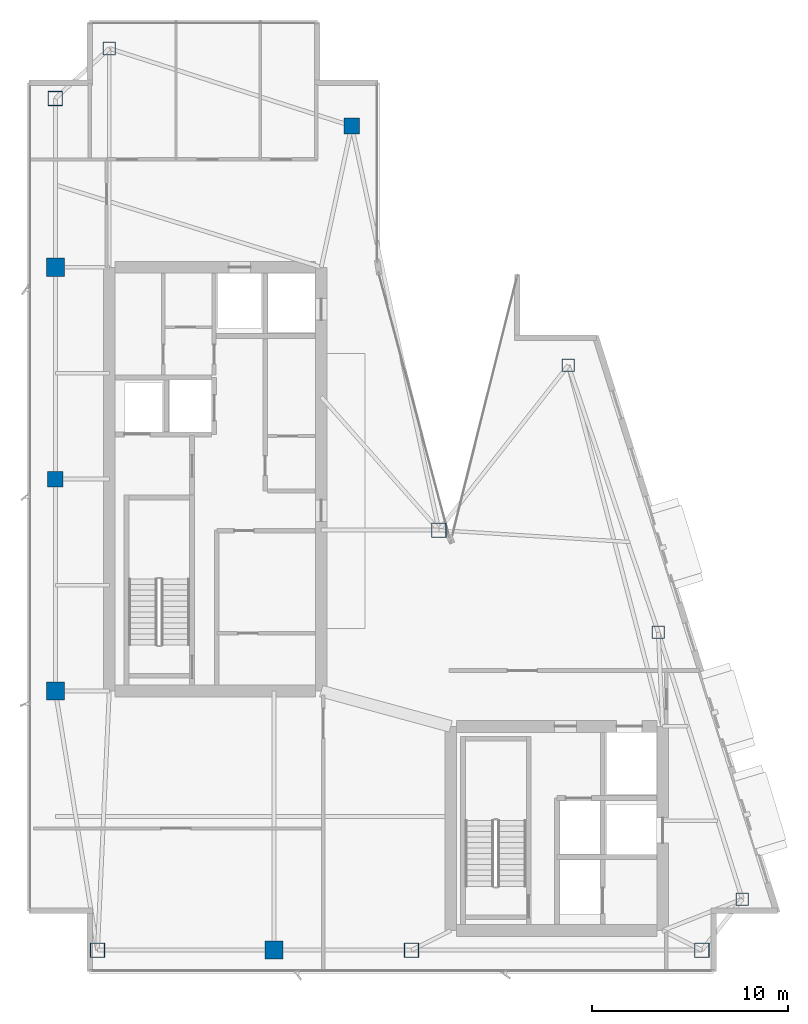
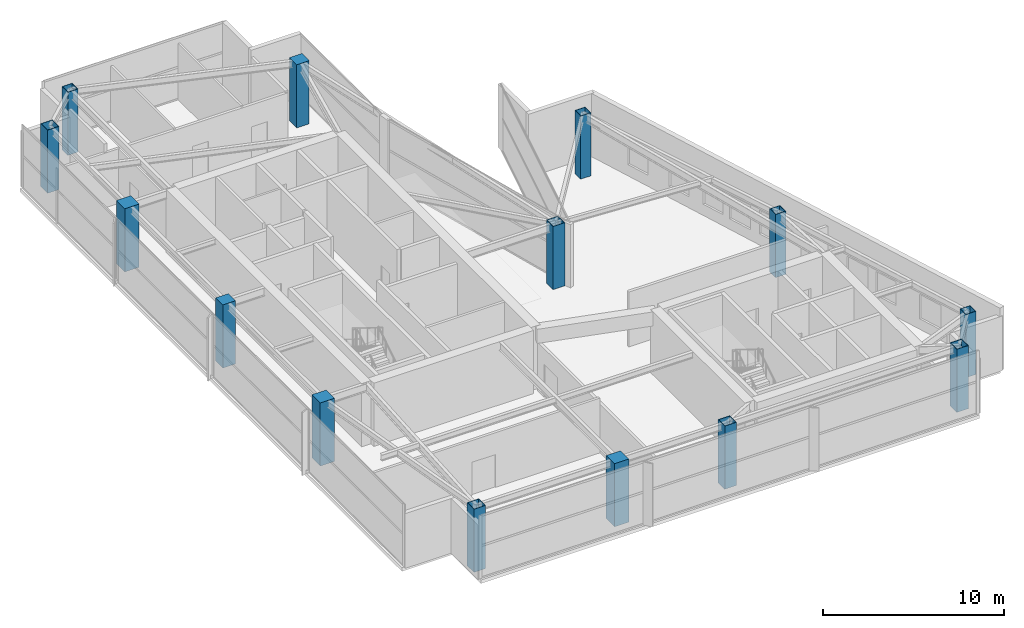
# One storey, part 1 of 25: 14 columns.
"""IFC4 building model written with IfcOpenShell, lengths in metres."""

from ifc_helpers import new_model, si_unit, direction, frame, origin, origin_2d, place, context, subcontext, project, spatial, rectangle, hollow_rectangle, extrude, material, material_profile, profile_set, type_object, element, save


model = new_model("IFC4")

# Units and contexts
model_context = context("Model", 3, precision=1e-05, world=origin(), true_north=direction((0.0, 1.0)))
body_context = subcontext(model_context, "Body", "Model", "MODEL_VIEW")
ifc_project = project(units=[si_unit("LENGTHUNIT", "METRE"), si_unit("AREAUNIT", "SQUARE_METRE"), si_unit("VOLUMEUNIT", "CUBIC_METRE"), si_unit("PLANEANGLEUNIT", "RADIAN"), si_unit("MASSUNIT", "GRAM", prefix="KILO")], contexts=[model_context])

# Site, building, storey
site_placement = place(None, origin())
site = spatial("IfcSite", under=ifc_project, at=site_placement, CompositionType="ELEMENT")
building_placement = place(site_placement, origin())
building = spatial("IfcBuilding", under=site, at=building_placement, Name="Calvorn Quay Hotel", CompositionType="ELEMENT")
storey_placement = place(building_placement, frame((0.0, 0.0, 311.5)))
storey = spatial("IfcBuildingStorey", under=building, at=storey_placement, Name="L77", CompositionType="ELEMENT", Elevation=311.5)

# Columns
ifc_material_1 = material(Name="Concrete C45", Category="concrete")
ifc_material_profile_1 = material_profile(ifc_material_1, rectangle(XDim=0.800048828125, YDim=0.800048828125, at=origin_2d()), Name="RC800x800")
ifc_profile_set_1 = profile_set([ifc_material_profile_1], Name="Concrete C45")
column_type_1 = type_object("IfcColumnType", Name="COL-RC-800", PredefinedType="COLUMN", material=ifc_profile_set_1)
for number, where, z_axis, x_axis, name in (
    (1, (1.449951171875, 27.60009765625, 0.0), (0.0, 0.0, 1.0), (1.0, 0.0, 0.0), "Column C-W3 (L77)"),
    (2, (16.550048828125, 45.60009765625, 0.0), (0.0, 0.0, 1.0), (1.0, 0.0, 0.0), "Column C-IC1 (L77)"),
):
    element("IfcColumn", number, at=place(storey_placement, frame(where, z_axis=z_axis, x_axis=x_axis)), inside=storey, type_object=column_type_1, Name=name, PredefinedType="COLUMN", context=body_context, shape_type="SweptSolid", body=[
        extrude(rectangle(XDim=0.800048828125, YDim=0.800048828125, at=origin_2d()), origin(), (0.0, 0.0, 1.0), 4.260009765625),
    ])
ifc_material_2 = material(Name="Concrete C45", Category="concrete")
ifc_material_profile_2 = material_profile(ifc_material_2, rectangle(XDim=0.919921875, YDim=0.919921875, at=origin_2d()), Name="RC920x920")
ifc_profile_set_2 = profile_set([ifc_material_profile_2], Name="Concrete C45")
column_type_2 = type_object("IfcColumnType", Name="COL-RC-920", PredefinedType="COLUMN", material=ifc_profile_set_2)
for number, where, z_axis, x_axis, name in (
    (3, (1.449951171875, 16.800048828125, 0.0), (0.0, 0.0, 1.0), (1.0, 0.0, 0.0), "Column C-W2 (L77)"),
    (4, (1.449951171875, 38.39990234375, 0.0), (0.0, 0.0, 1.0), (1.0, 0.0, 0.0), "Column C-W4 (L77)"),
    (5, (12.60009765625, 3.60009765625, 0.0), (0.0, 0.0, 1.0), (1.0, 0.0, 0.0), "Column C-S1 (L77)"),
):
    element("IfcColumn", number, at=place(storey_placement, frame(where, z_axis=z_axis, x_axis=x_axis)), inside=storey, type_object=column_type_2, Name=name, PredefinedType="COLUMN", context=body_context, shape_type="SweptSolid", body=[
        extrude(rectangle(XDim=0.919921875, YDim=0.919921875, at=origin_2d()), origin(), (0.0, 0.0, 1.0), 4.260009765625),
    ])
ifc_material_3 = material(Name="Steel Q390GJC", Category="steel")
ifc_material_profile_3 = material_profile(ifc_material_3, hollow_rectangle(XDim=0.75, YDim=0.75, WallThickness=0.031982421875, at=origin_2d()), Name="BOX750x750x32")
ifc_profile_set_3 = profile_set([ifc_material_profile_3], Name="Steel Q390GJC")
column_type_3 = type_object("IfcColumnType", Name="COL-STL-Z3", PredefinedType="COLUMN", material=ifc_profile_set_3)
for number, where, z_axis, x_axis, name in (
    (6, (3.60009765625, 3.60009765625, 0.0), (0.0, 0.0, 1.0), (1.0, 0.0, 0.0), "Column C-W1 (L77)"),
    (7, (1.449951171875, 47.0, 0.0), (0.0, 0.0, 1.0), (1.0, 0.0, 0.0), "Column C-W5 (L77)"),
    (8, (21.0, 25.0, 0.0), (0.0, 0.0, 1.0), (1.0, 0.0, 0.0), "Column C-IC2 (L77)"),
    (9, (19.60009765625, 3.60009765625, 0.0), (0.0, 0.0, 1.0), (1.0, 0.0, 0.0), "Column C-S2 (L77)"),
    (10, (34.39990234375, 3.60009765625, 0.0), (0.0, 0.0, 1.0), (1.0, 0.0, 0.0), "Column C-S3 (L77)"),
):
    element("IfcColumn", number, at=place(storey_placement, frame(where, z_axis=z_axis, x_axis=x_axis)), inside=storey, type_object=column_type_3, Name=name, PredefinedType="COLUMN", context=body_context, shape_type="SweptSolid", body=[
        extrude(hollow_rectangle(XDim=0.75, YDim=0.75, WallThickness=0.031982421875, at=origin_2d()), origin(), (0.0, 0.0, 1.0), 4.260009765625),
    ])
ifc_material_4 = material(Name="Steel Q355B", Category="steel")
ifc_material_profile_4 = material_profile(ifc_material_4, hollow_rectangle(XDim=0.64990234375, YDim=0.64990234375, WallThickness=0.028076171875, at=origin_2d()), Name="BOX650x650x28")
ifc_profile_set_4 = profile_set([ifc_material_profile_4], Name="Steel Q355B")
column_type_4 = type_object("IfcColumnType", Name="COL-STL-Z4", PredefinedType="COLUMN", material=ifc_profile_set_4)
for number, where, z_axis, x_axis, name in (
    (11, (4.199951171875, 49.550048828125, 0.0), (0.0, 0.0, 1.0), (1.0, 0.0, 0.0), "Column C-NW1 (L77)"),
    (12, (36.4609375, 6.199951171875, 0.0), (0.0, 0.0, 1.0), (1.0, 0.0, 0.0), "Column C-ET1 (L77)"),
    (13, (32.176025390625, 19.800048828125, 0.0), (0.0, 0.0, 1.0), (1.0, 0.0, 0.0), "Column C-ET2 (L77)"),
    (14, (27.591064453125, 33.39990234375, 0.0), (0.0, 0.0, 1.0), (1.0, 0.0, 0.0), "Column C-ET3 (L77)"),
):
    element("IfcColumn", number, at=place(storey_placement, frame(where, z_axis=z_axis, x_axis=x_axis)), inside=storey, type_object=column_type_4, Name=name, PredefinedType="COLUMN", context=body_context, shape_type="SweptSolid", body=[
        extrude(hollow_rectangle(XDim=0.64990234375, YDim=0.64990234375, WallThickness=0.028076171875, at=origin_2d()), origin(), (0.0, 0.0, 1.0), 4.260009765625),
    ])

save(model, "model.ifc")
